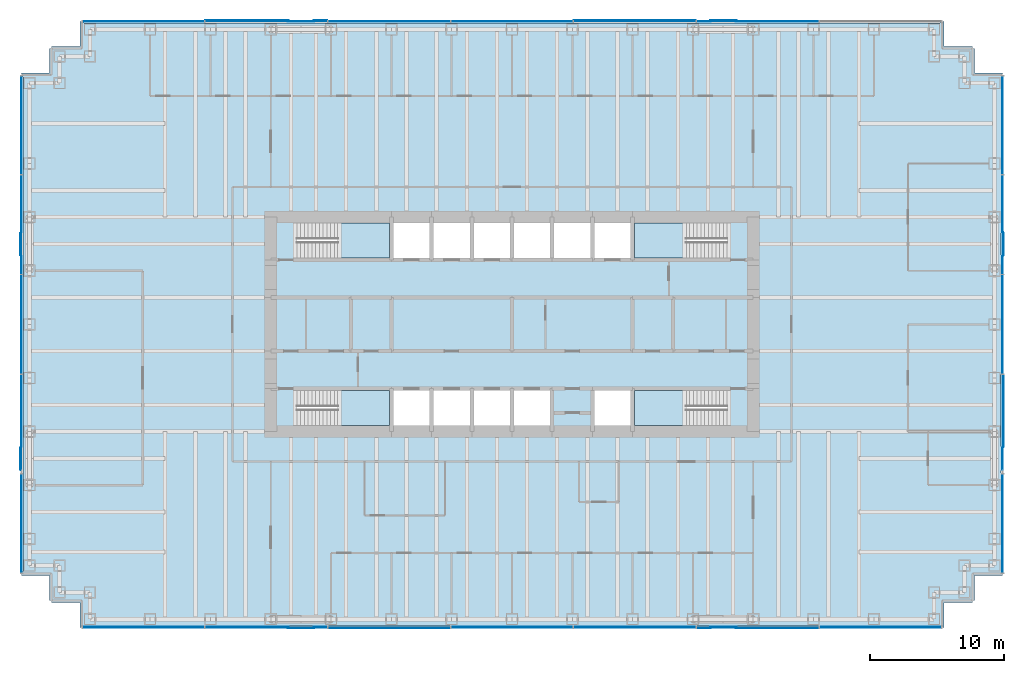
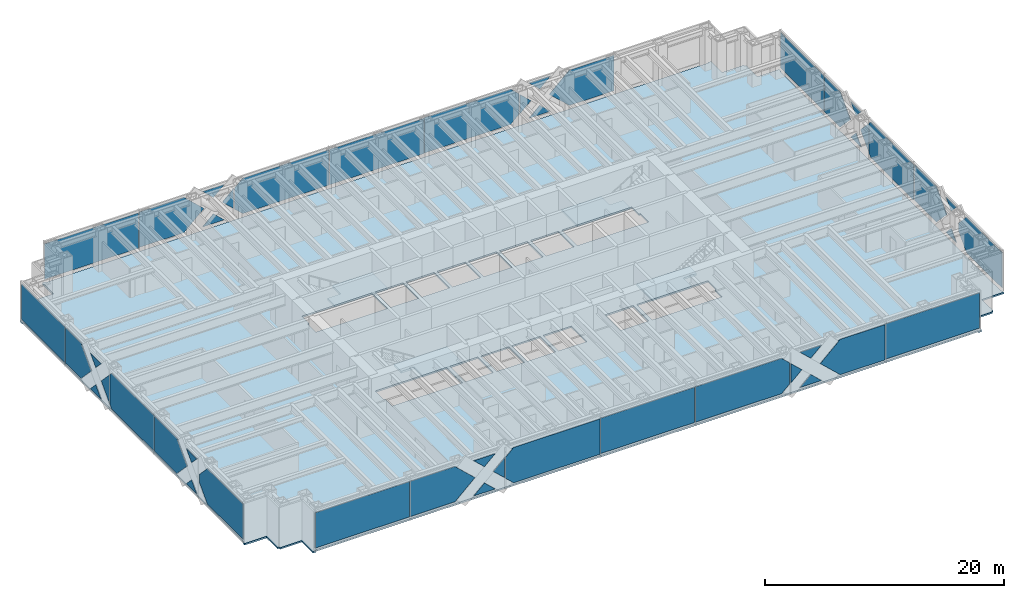
# One storey, part 10 of 19: 45 plates, 5 slabs, 8 elements without a shape of their own.
"""IFC4 building model written with IfcOpenShell, lengths in metres."""

from ifc_helpers import new_model, si_unit, direction, frame, origin, origin_2d, place, context, subcontext, project, spatial, polyline, rectangle, outline, extrude, material, layer, layer_set, type_object, element, aggregate, save


model = new_model("IFC4")

# Units and contexts
model_context = context("Model", 3, precision=1e-05, world=origin(), true_north=direction((0.0, 1.0)))
body_context = subcontext(model_context, "Body", "Model", "MODEL_VIEW")
ifc_project = project(units=[si_unit("LENGTHUNIT", "METRE"), si_unit("AREAUNIT", "SQUARE_METRE"), si_unit("VOLUMEUNIT", "CUBIC_METRE"), si_unit("PLANEANGLEUNIT", "RADIAN"), si_unit("MASSUNIT", "GRAM", prefix="KILO")], contexts=[model_context])

# Site, building, storey
site_placement = place(None, origin())
site = spatial("IfcSite", under=ifc_project, at=site_placement, CompositionType="ELEMENT")
building_placement = place(site_placement, origin())
building = spatial("IfcBuilding", under=site, at=building_placement, Name="Rheinbord Bourse Tower", CompositionType="ELEMENT")
storey_placement = place(building_placement, frame((0.0, 0.0, 167.699951171875)))
storey = spatial("IfcBuildingStorey", under=building, at=storey_placement, Name="L37", CompositionType="ELEMENT", Elevation=167.699951171875)

# Slab
ifc_material_1 = material(Name="Concrete C30/37", Category="concrete")
ifc_layer_1 = layer(ifc_material_1, 0.159912109375)
ifc_layer_set_1 = layer_set([ifc_layer_1], Name="COMPOSITE FLOOR SLAB 160")
slab_type_1 = type_object("IfcSlabType", Name="COMPOSITE FLOOR SLAB 160", PredefinedType="FLOOR", material=ifc_layer_set_1)
slab_1_placement = place(storey_placement, frame((0.0, 0.0, -0.159912109375)))
element("IfcSlab", 1, at=slab_1_placement, inside=storey, type_object=slab_type_1, Name="Floor slab L37", PredefinedType="FLOOR", context=body_context, shape_type="SweptSolid", body=[
    extrude(outline(polyline([(1.64990234375, 3.39990234375), (1.5, 3.39990234375), (1.5, 5.25), (-0.60009765625, 5.25), (-0.60009765625, 5.550048828125), (-0.5, 5.550048828125), (-0.5, 42.449951171875), (-0.60009765625, 42.449951171875), (-0.60009765625, 42.75), (1.5, 42.75), (1.5, 44.60009765625), (1.64990234375, 44.60009765625), (1.64990234375, 44.75), (3.75, 44.75), (3.75, 46.60009765625), (4.050048828125, 46.60009765625), (4.050048828125, 46.5), (67.949951171875, 46.5), (67.949951171875, 46.60009765625), (68.25, 46.60009765625), (68.25, 44.75), (70.35009765625, 44.75), (70.35009765625, 44.60009765625), (70.5, 44.60009765625), (70.5, 42.75), (72.60009765625, 42.75), (72.60009765625, 42.449951171875), (72.5, 42.449951171875), (72.5, 5.550048828125), (72.60009765625, 5.550048828125), (72.60009765625, 5.25), (70.5, 5.25), (70.5, 3.39990234375), (70.35009765625, 3.39990234375), (70.35009765625, 3.25), (68.25, 3.25), (68.25, 1.39990234375), (67.949951171875, 1.39990234375), (67.949951171875, 1.5), (4.050048828125, 1.5), (4.050048828125, 1.39990234375), (3.75, 1.39990234375), (3.75, 3.25), (1.64990234375, 3.25), (1.64990234375, 3.39990234375)]), holes=[polyline([(19.949951171875, 19.050048828125), (26.85009765625, 19.050048828125), (26.85009765625, 16.449951171875), (20.10009765625, 16.449951171875), (20.10009765625, 17.64990234375), (19.949951171875, 17.64990234375), (19.949951171875, 19.050048828125)]), polyline([(26.85009765625, 31.550048828125), (26.85009765625, 28.949951171875), (19.949951171875, 28.949951171875), (19.949951171875, 30.35009765625), (20.10009765625, 30.35009765625), (20.10009765625, 31.550048828125), (26.85009765625, 31.550048828125)]), polyline([(45.14990234375, 16.449951171875), (45.14990234375, 19.050048828125), (52.050048828125, 19.050048828125), (52.050048828125, 17.64990234375), (51.89990234375, 17.64990234375), (51.89990234375, 16.449951171875), (45.14990234375, 16.449951171875)]), polyline([(52.050048828125, 28.949951171875), (45.14990234375, 28.949951171875), (45.14990234375, 31.550048828125), (51.89990234375, 31.550048828125), (51.89990234375, 30.35009765625), (52.050048828125, 30.35009765625), (52.050048828125, 28.949951171875)]), polyline([(27.14990234375, 16.449951171875), (27.14990234375, 19.050048828125), (29.85009765625, 19.050048828125), (29.85009765625, 16.449951171875), (27.14990234375, 16.449951171875)]), polyline([(27.14990234375, 28.949951171875), (27.14990234375, 31.550048828125), (29.85009765625, 31.550048828125), (29.85009765625, 28.949951171875), (27.14990234375, 28.949951171875)]), polyline([(30.14990234375, 16.449951171875), (30.14990234375, 19.050048828125), (32.85009765625, 19.050048828125), (32.85009765625, 16.449951171875), (30.14990234375, 16.449951171875)]), polyline([(30.14990234375, 28.949951171875), (30.14990234375, 31.550048828125), (32.85009765625, 31.550048828125), (32.85009765625, 28.949951171875), (30.14990234375, 28.949951171875)]), polyline([(33.14990234375, 16.449951171875), (33.14990234375, 19.050048828125), (35.85009765625, 19.050048828125), (35.85009765625, 16.449951171875), (33.14990234375, 16.449951171875)]), polyline([(33.14990234375, 28.949951171875), (33.14990234375, 31.550048828125), (35.85009765625, 31.550048828125), (35.85009765625, 28.949951171875), (33.14990234375, 28.949951171875)]), polyline([(36.14990234375, 16.449951171875), (36.14990234375, 19.050048828125), (38.85009765625, 19.050048828125), (38.85009765625, 16.449951171875), (36.14990234375, 16.449951171875)]), polyline([(36.14990234375, 28.949951171875), (36.14990234375, 31.550048828125), (38.85009765625, 31.550048828125), (38.85009765625, 28.949951171875), (36.14990234375, 28.949951171875)]), polyline([(39.14990234375, 28.949951171875), (39.14990234375, 31.550048828125), (41.85009765625, 31.550048828125), (41.85009765625, 28.949951171875), (39.14990234375, 28.949951171875)]), polyline([(42.14990234375, 16.449951171875), (42.14990234375, 19.050048828125), (44.85009765625, 19.050048828125), (44.85009765625, 16.449951171875), (42.14990234375, 16.449951171875)]), polyline([(42.14990234375, 28.949951171875), (42.14990234375, 31.550048828125), (44.85009765625, 31.550048828125), (44.85009765625, 28.949951171875), (42.14990234375, 28.949951171875)])]), origin(), (0.0, 0.0, 1.0), 0.159912109375),
])

# Curtain wall, plates
ifc_material_2 = material(Name="Dark glass and black aluminium", Category="aluminium")
curtain_wall_type = type_object("IfcCurtainWallType", Name="CW2 DARK GLASS CURTAIN WALL", PredefinedType="USERDEFINED", material=ifc_material_2)
curtain_wall_1_placement = place(storey_placement, origin())
curtain_wall_1 = element("IfcCurtainWall", 2, at=curtain_wall_1_placement, inside=storey, type_object=curtain_wall_type, Name="Curtain wall CW2 S L37", ObjectType="UNITISED CURTAIN WALL", PredefinedType="USERDEFINED")
ifc_material_3 = material(Name="Dark tinted triple insulating glass", Category="glass")
ifc_layer_2 = layer(ifc_material_3, 0.050048828125)
ifc_layer_set_2 = layer_set([ifc_layer_2], Name="CW2 DARK GLASS PANEL")
plate_type = type_object("IfcPlateType", Name="CW2 DARK GLASS PANEL", PredefinedType="CURTAIN_PANEL", material=ifc_layer_set_2)
plate_1_placement = place(storey_placement, frame((8.503173828125, 1.39990234375, 0.300048828125), z_axis=(0.0, 0.0, 1.0), x_axis=(1.0, 0.0, 0.0)))
plate_1 = element("IfcPlate", 3, at=plate_1_placement, type_object=plate_type, Name="CW2 panel 1.1", PredefinedType="CURTAIN_PANEL", context=body_context, shape_type="SweptSolid", body=[
    extrude(rectangle(XDim=9.06640625, YDim=0.050048828125, at=origin_2d()), origin(), (0.0, 0.0, 1.0), 3.60009765625),
])
plate_2_placement = place(storey_placement, frame((36.0, 1.39990234375, 0.300048828125), z_axis=(0.0, 0.0, 1.0), x_axis=(1.0, 0.0, 0.0)))
plate_2 = element("IfcPlate", 4, at=plate_2_placement, type_object=plate_type, Name="CW2 panel 4.1", PredefinedType="CURTAIN_PANEL", context=body_context, shape_type="SweptSolid", body=[
    extrude(rectangle(XDim=9.101318359375, YDim=0.050048828125, at=origin_2d()), origin(), (0.0, 0.0, 1.0), 3.60009765625),
])
plate_3_placement = place(storey_placement, frame((63.496826171875, 1.39990234375, 0.300048828125), z_axis=(0.0, 0.0, 1.0), x_axis=(1.0, 0.0, 0.0)))
plate_3 = element("IfcPlate", 5, at=plate_3_placement, type_object=plate_type, Name="CW2 panel 7.1", PredefinedType="CURTAIN_PANEL", context=body_context, shape_type="SweptSolid", body=[
    extrude(rectangle(XDim=9.06640625, YDim=0.050048828125, at=origin_2d()), origin(), (0.0, 0.0, 1.0), 3.60009765625),
])
plate_4_placement = place(storey_placement, frame((13.10595703125, 1.375, 0.300048828125), z_axis=(0.0, 1.0, 0.0), x_axis=(0.0, 0.0, 1.0)))
plate_4 = element("IfcPlate", 6, at=plate_4_placement, type_object=plate_type, Name="CW2 glass facet 1", PredefinedType="CURTAIN_PANEL", context=body_context, shape_type="SweptSolid", body=[
    extrude(outline(polyline([(0.0, 0.0), (3.60009765625, 0.0), (3.60009765625, 4.3291015625), (1.800048828125, 6.257080078125), (0.0, 4.3291015625), (0.0, 0.0)])), origin(), (0.0, 0.0, 1.0), 0.050048828125),
])
plate_5_placement = place(storey_placement, frame((19.2080078125, 1.31982421875, 0.300048828125), z_axis=(0.0, 1.0, 0.0), x_axis=(0.731266046968, 0.0, 0.682092346059)))
plate_5 = element("IfcPlate", 7, at=plate_5_placement, type_object=plate_type, Name="CW2 glass facet 2", PredefinedType="CURTAIN_PANEL", context=body_context, shape_type="SweptSolid", body=[
    extrude(outline(polyline([(0.0, 0.0), (1.4248046875, 0.0), (1.52392578125, 1.42138671875), (0.0, 0.0)])), origin(), (0.0, 0.0, 1.0), 0.050048828125),
])
plate_6_placement = place(storey_placement, frame((21.2919921875, 1.31982421875, 3.900146484375), z_axis=(0.0, 1.0, 0.0), x_axis=(-0.731180589899, 0.0, -0.682183952431)))
plate_6 = element("IfcPlate", 8, at=plate_6_placement, type_object=plate_type, Name="CW2 glass facet 3", PredefinedType="CURTAIN_PANEL", context=body_context, shape_type="SweptSolid", body=[
    extrude(outline(polyline([(0.0, 0.0), (1.425048828125, 0.0), (1.523681640625, 1.421630859375), (0.0, 0.0)])), origin(), (0.0, 0.0, 1.0), 0.050048828125),
])
plate_7_placement = place(storey_placement, frame((22.2080078125, 1.375, 1.10009765625), z_axis=(0.0, 1.0, 0.0), x_axis=(-0.730933363576, 0.0, 0.682448839117)))
plate_7 = element("IfcPlate", 9, at=plate_7_placement, type_object=plate_type, Name="CW2 glass facet 4", PredefinedType="CURTAIN_PANEL", context=body_context, shape_type="SweptSolid", body=[
    extrude(outline(polyline([(0.0, 0.0), (1.46533203125, 0.0), (1.364990234375, 1.4619140625), (0.0, 0.0)])), origin(), (0.0, 0.0, 1.0), 0.050048828125),
])
plate_8_placement = place(storey_placement, frame((31.37890625, 1.31982421875, 3.900146484375), z_axis=(0.0, 1.0, 0.0), x_axis=(0.0, 0.0, -1.0)))
plate_8 = element("IfcPlate", 10, at=plate_8_placement, type_object=plate_type, Name="CW2 glass facet 1", PredefinedType="CURTAIN_PANEL", context=body_context, shape_type="SweptSolid", body=[
    extrude(outline(polyline([(0.0, 0.0), (3.60009765625, 0.0), (3.60009765625, 8.31396484375), (2.864990234375, 9.100830078125), (0.735107421875, 9.100830078125), (0.0, 8.31396484375), (0.0, 0.0)])), origin(), (0.0, 0.0, 1.0), 0.050048828125),
])
plate_9_placement = place(storey_placement, frame((40.62109375, 1.375, 0.300048828125), z_axis=(0.0, 1.0, 0.0), x_axis=(0.0, 0.0, 1.0)))
plate_9 = element("IfcPlate", 11, at=plate_9_placement, type_object=plate_type, Name="CW2 glass facet 1", PredefinedType="CURTAIN_PANEL", context=body_context, shape_type="SweptSolid", body=[
    extrude(outline(polyline([(0.0, 0.0), (3.60009765625, 0.0), (3.60009765625, 8.31396484375), (2.864990234375, 9.100830078125), (0.735107421875, 9.100830078125), (0.0, 8.31396484375), (0.0, 0.0)])), origin(), (0.0, 0.0, 1.0), 0.050048828125),
])
plate_10_placement = place(storey_placement, frame((49.7919921875, 1.31982421875, 3.10009765625), z_axis=(0.0, 1.0, 0.0), x_axis=(0.730933363576, 0.0, -0.682448839117)))
plate_10 = element("IfcPlate", 12, at=plate_10_placement, type_object=plate_type, Name="CW2 glass facet 1", PredefinedType="CURTAIN_PANEL", context=body_context, shape_type="SweptSolid", body=[
    extrude(outline(polyline([(0.0, 0.0), (1.46533203125, 0.0), (1.364990234375, 1.4619140625), (0.0, 0.0)])), origin(), (0.0, 0.0, 1.0), 0.050048828125),
])
plate_11_placement = place(storey_placement, frame((50.7080078125, 1.375, 0.300048828125), z_axis=(0.0, 1.0, 0.0), x_axis=(0.731266046968, 0.0, 0.682092346059)))
plate_11 = element("IfcPlate", 13, at=plate_11_placement, type_object=plate_type, Name="CW2 glass facet 2", PredefinedType="CURTAIN_PANEL", context=body_context, shape_type="SweptSolid", body=[
    extrude(outline(polyline([(0.0, 0.0), (1.4248046875, 0.0), (1.52392578125, 1.42138671875), (0.0, 0.0)])), origin(), (0.0, 0.0, 1.0), 0.050048828125),
])
plate_12_placement = place(storey_placement, frame((52.7919921875, 1.375, 3.900146484375), z_axis=(0.0, 1.0, 0.0), x_axis=(-0.731180589899, 0.0, -0.682183952431)))
plate_12 = element("IfcPlate", 14, at=plate_12_placement, type_object=plate_type, Name="CW2 glass facet 3", PredefinedType="CURTAIN_PANEL", context=body_context, shape_type="SweptSolid", body=[
    extrude(outline(polyline([(0.0, 0.0), (1.425048828125, 0.0), (1.523681640625, 1.421630859375), (0.0, 0.0)])), origin(), (0.0, 0.0, 1.0), 0.050048828125),
])
plate_13_placement = place(storey_placement, frame((58.89404296875, 1.31982421875, 3.900146484375), z_axis=(0.0, 1.0, 0.0), x_axis=(0.0, 0.0, -1.0)))
plate_13 = element("IfcPlate", 15, at=plate_13_placement, type_object=plate_type, Name="CW2 glass facet 4", PredefinedType="CURTAIN_PANEL", context=body_context, shape_type="SweptSolid", body=[
    extrude(outline(polyline([(0.0, 0.0), (3.60009765625, 0.0), (3.60009765625, 4.3291015625), (1.800048828125, 6.257080078125), (0.0, 4.3291015625), (0.0, 0.0)])), origin(), (0.0, 0.0, 1.0), 0.050048828125),
])
aggregate(curtain_wall_1, [plate_1, plate_2, plate_3, plate_4, plate_5, plate_6, plate_7, plate_8, plate_9, plate_10, plate_11, plate_12, plate_13])

curtain_wall_2_placement = place(storey_placement, origin())
curtain_wall_2 = element("IfcCurtainWall", 16, at=curtain_wall_2_placement, inside=storey, type_object=curtain_wall_type, Name="Curtain wall CW2 E L37", ObjectType="UNITISED CURTAIN WALL", PredefinedType="USERDEFINED")
plate_14_placement = place(storey_placement, frame((72.60009765625, 38.862548828125, 0.300048828125), z_axis=(0.0, 0.0, 1.0), x_axis=(0.0, 1.0, 0.0)))
plate_14 = element("IfcPlate", 17, at=plate_14_placement, type_object=plate_type, Name="CW2 panel 5.1", PredefinedType="CURTAIN_PANEL", context=body_context, shape_type="SweptSolid", body=[
    extrude(rectangle(XDim=7.3349609375, YDim=0.050048828125, at=origin_2d()), origin(), (0.0, 0.0, 1.0), 3.60009765625),
])
plate_15_placement = place(storey_placement, frame((72.625, 5.469970703125, 0.300048828125), z_axis=(-1.0, 0.0, 0.0), x_axis=(0.0, 0.0, 1.0)))
plate_15 = element("IfcPlate", 18, at=plate_15_placement, type_object=plate_type, Name="CW2 glass facet 1", PredefinedType="CURTAIN_PANEL", context=body_context, shape_type="SweptSolid", body=[
    extrude(outline(polyline([(0.0, 0.0), (3.60009765625, 0.0), (3.60009765625, 5.97998046875), (2.177978515625, 7.3349609375), (1.423095703125, 7.3349609375), (0.0, 5.97998046875), (0.0, 0.0)])), origin(), (0.0, 0.0, 1.0), 0.050048828125),
])
plate_16_placement = place(storey_placement, frame((72.625, 13.12109375, 0.300048828125), z_axis=(-1.0, 0.0, 0.0), x_axis=(0.0, 0.689559508121, 0.724229027835)))
plate_16 = element("IfcPlate", 19, at=plate_16_placement, type_object=plate_type, Name="CW2 glass facet 2", PredefinedType="CURTAIN_PANEL", context=body_context, shape_type="SweptSolid", body=[
    extrude(outline(polyline([(0.0, 0.0), (1.274658203125, 0.0), (1.212158203125, 1.27294921875), (0.0, 0.0)])), origin(), (0.0, 0.0, 1.0), 0.050048828125),
])
plate_17_placement = place(storey_placement, frame((72.625, 14.87890625, 3.900146484375), z_axis=(-1.0, 0.0, 0.0), x_axis=(0.0, -0.689559508121, -0.724229027835)))
plate_17 = element("IfcPlate", 20, at=plate_17_placement, type_object=plate_type, Name="CW2 glass facet 3", PredefinedType="CURTAIN_PANEL", context=body_context, shape_type="SweptSolid", body=[
    extrude(outline(polyline([(0.0, 0.0), (1.274658203125, 0.0), (1.212158203125, 1.27294921875), (0.0, 0.0)])), origin(), (0.0, 0.0, 1.0), 0.050048828125),
])
plate_18_placement = place(storey_placement, frame((72.68017578125, 20.2451171875, 3.900146484375), z_axis=(-1.0, 0.0, 0.0), x_axis=(0.0, 0.0, -1.0)))
plate_18 = element("IfcPlate", 21, at=plate_18_placement, type_object=plate_type, Name="CW2 glass facet 4", PredefinedType="CURTAIN_PANEL", context=body_context, shape_type="SweptSolid", body=[
    extrude(outline(polyline([(0.0, 0.0), (3.60009765625, 0.0), (3.60009765625, 3.695068359375), (1.800048828125, 5.41015625), (0.0, 3.695068359375), (0.0, 0.0)])), origin(), (0.0, 0.0, 1.0), 0.050048828125),
])
plate_19_placement = place(storey_placement, frame((72.625, 20.31494140625, 0.300048828125), z_axis=(-1.0, 0.0, 0.0), x_axis=(0.0, 0.0, 1.0)))
plate_19 = element("IfcPlate", 22, at=plate_19_placement, type_object=plate_type, Name="CW2 glass facet 1", PredefinedType="CURTAIN_PANEL", context=body_context, shape_type="SweptSolid", body=[
    extrude(outline(polyline([(0.0, 0.0), (3.60009765625, 0.0), (3.60009765625, 7.135009765625), (3.35302734375, 7.3701171875), (0.24609375, 7.3701171875), (0.0, 7.135009765625), (0.0, 0.0)])), origin(), (0.0, 0.0, 1.0), 0.050048828125),
])
plate_20_placement = place(storey_placement, frame((72.625, 27.7548828125, 3.580078125), z_axis=(-1.0, 0.0, 0.0), x_axis=(0.0, 0.689822155923, -0.723978862397)))
plate_20 = element("IfcPlate", 23, at=plate_20_placement, type_object=plate_type, Name="CW2 glass facet 1", PredefinedType="CURTAIN_PANEL", context=body_context, shape_type="SweptSolid", body=[
    extrude(outline(polyline([(0.0, 0.0), (2.044189453125, 0.0), (2.14306640625, 2.041748046875), (0.0, 0.0)])), origin(), (0.0, 0.0, 1.0), 0.050048828125),
])
plate_21_placement = place(storey_placement, frame((72.68017578125, 29.12109375, 0.300048828125), z_axis=(-1.0, 0.0, 0.0), x_axis=(0.0, 0.689559508121, 0.724229027835)))
plate_21 = element("IfcPlate", 24, at=plate_21_placement, type_object=plate_type, Name="CW2 glass facet 2", PredefinedType="CURTAIN_PANEL", context=body_context, shape_type="SweptSolid", body=[
    extrude(outline(polyline([(0.0, 0.0), (1.274658203125, 0.0), (1.212158203125, 1.27294921875), (0.0, 0.0)])), origin(), (0.0, 0.0, 1.0), 0.050048828125),
])
plate_22_placement = place(storey_placement, frame((72.68017578125, 30.87890625, 3.900146484375), z_axis=(-1.0, 0.0, 0.0), x_axis=(0.0, -0.689559508121, -0.724229027835)))
plate_22 = element("IfcPlate", 25, at=plate_22_placement, type_object=plate_type, Name="CW2 glass facet 3", PredefinedType="CURTAIN_PANEL", context=body_context, shape_type="SweptSolid", body=[
    extrude(outline(polyline([(0.0, 0.0), (1.274658203125, 0.0), (1.212158203125, 1.27294921875), (0.0, 0.0)])), origin(), (0.0, 0.0, 1.0), 0.050048828125),
])
plate_23_placement = place(storey_placement, frame((72.625, 35.125, 3.900146484375), z_axis=(-1.0, 0.0, 0.0), x_axis=(0.0, 0.0, -1.0)))
plate_23 = element("IfcPlate", 26, at=plate_23_placement, type_object=plate_type, Name="CW2 glass facet 4", PredefinedType="CURTAIN_PANEL", context=body_context, shape_type="SweptSolid", body=[
    extrude(outline(polyline([(0.0, 0.0), (3.60009765625, 0.0), (3.60009765625, 2.574951171875), (1.800048828125, 4.2900390625), (0.0, 2.574951171875), (0.0, 0.0)])), origin(), (0.0, 0.0, 1.0), 0.050048828125),
])
aggregate(curtain_wall_2, [plate_14, plate_15, plate_16, plate_17, plate_18, plate_19, plate_20, plate_21, plate_22, plate_23])

curtain_wall_3_placement = place(storey_placement, origin())
curtain_wall_3 = element("IfcCurtainWall", 27, at=curtain_wall_3_placement, inside=storey, type_object=curtain_wall_type, Name="Curtain wall CW2 N L37", ObjectType="UNITISED CURTAIN WALL", PredefinedType="USERDEFINED")
plate_24_placement = place(storey_placement, frame((36.0, 46.60009765625, 0.300048828125), z_axis=(0.0, 0.0, 1.0), x_axis=(-1.0, 0.0, 0.0)))
plate_24 = element("IfcPlate", 28, at=plate_24_placement, type_object=plate_type, Name="CW2 panel 4.1", PredefinedType="CURTAIN_PANEL", context=body_context, shape_type="SweptSolid", body=[
    extrude(rectangle(XDim=9.101318359375, YDim=0.050048828125, at=origin_2d()), origin(), (0.0, 0.0, 1.0), 3.60009765625),
])
plate_25_placement = place(storey_placement, frame((8.503173828125, 46.60009765625, 0.300048828125), z_axis=(0.0, 0.0, 1.0), x_axis=(-1.0, 0.0, 0.0)))
plate_25 = element("IfcPlate", 29, at=plate_25_placement, type_object=plate_type, Name="CW2 panel 7.1", PredefinedType="CURTAIN_PANEL", context=body_context, shape_type="SweptSolid", body=[
    extrude(rectangle(XDim=9.06640625, YDim=0.050048828125, at=origin_2d()), origin(), (0.0, 0.0, 1.0), 3.60009765625),
])
plate_26_placement = place(storey_placement, frame((58.89404296875, 46.625, 0.300048828125), z_axis=(0.0, -1.0, 0.0), x_axis=(0.0, 0.0, 1.0)))
plate_26 = element("IfcPlate", 30, at=plate_26_placement, type_object=plate_type, Name="CW2 glass facet 1", PredefinedType="CURTAIN_PANEL", context=body_context, shape_type="SweptSolid", body=[
    extrude(outline(polyline([(0.0, 0.0), (3.60009765625, 0.0), (3.60009765625, 4.3291015625), (1.800048828125, 6.257080078125), (0.0, 4.3291015625), (0.0, 0.0)])), origin(), (0.0, 0.0, 1.0), 0.050048828125),
])
plate_27_placement = place(storey_placement, frame((52.7919921875, 46.68017578125, 0.300048828125), z_axis=(0.0, -1.0, 0.0), x_axis=(-0.731266046968, 0.0, 0.682092346059)))
plate_27 = element("IfcPlate", 31, at=plate_27_placement, type_object=plate_type, Name="CW2 glass facet 2", PredefinedType="CURTAIN_PANEL", context=body_context, shape_type="SweptSolid", body=[
    extrude(outline(polyline([(0.0, 0.0), (1.4248046875, 0.0), (1.52392578125, 1.42138671875), (0.0, 0.0)])), origin(), (0.0, 0.0, 1.0), 0.050048828125),
])
plate_28_placement = place(storey_placement, frame((50.7080078125, 46.68017578125, 3.900146484375), z_axis=(0.0, -1.0, 0.0), x_axis=(0.731180589899, 0.0, -0.682183952431)))
plate_28 = element("IfcPlate", 32, at=plate_28_placement, type_object=plate_type, Name="CW2 glass facet 3", PredefinedType="CURTAIN_PANEL", context=body_context, shape_type="SweptSolid", body=[
    extrude(outline(polyline([(0.0, 0.0), (1.425048828125, 0.0), (1.523681640625, 1.421630859375), (0.0, 0.0)])), origin(), (0.0, 0.0, 1.0), 0.050048828125),
])
plate_29_placement = place(storey_placement, frame((49.7919921875, 46.625, 1.10009765625), z_axis=(0.0, -1.0, 0.0), x_axis=(0.730933363576, 0.0, 0.682448839117)))
plate_29 = element("IfcPlate", 33, at=plate_29_placement, type_object=plate_type, Name="CW2 glass facet 4", PredefinedType="CURTAIN_PANEL", context=body_context, shape_type="SweptSolid", body=[
    extrude(outline(polyline([(0.0, 0.0), (1.46533203125, 0.0), (1.364990234375, 1.4619140625), (0.0, 0.0)])), origin(), (0.0, 0.0, 1.0), 0.050048828125),
])
plate_30_placement = place(storey_placement, frame((40.62109375, 46.68017578125, 3.900146484375), z_axis=(0.0, -1.0, 0.0), x_axis=(0.0, 0.0, -1.0)))
plate_30 = element("IfcPlate", 34, at=plate_30_placement, type_object=plate_type, Name="CW2 glass facet 1", PredefinedType="CURTAIN_PANEL", context=body_context, shape_type="SweptSolid", body=[
    extrude(outline(polyline([(0.0, 0.0), (3.60009765625, 0.0), (3.60009765625, 8.31396484375), (2.864990234375, 9.100830078125), (0.735107421875, 9.100830078125), (0.0, 8.31396484375), (0.0, 0.0)])), origin(), (0.0, 0.0, 1.0), 0.050048828125),
])
plate_31_placement = place(storey_placement, frame((31.37890625, 46.625, 0.300048828125), z_axis=(0.0, -1.0, 0.0), x_axis=(0.0, 0.0, 1.0)))
plate_31 = element("IfcPlate", 35, at=plate_31_placement, type_object=plate_type, Name="CW2 glass facet 1", PredefinedType="CURTAIN_PANEL", context=body_context, shape_type="SweptSolid", body=[
    extrude(outline(polyline([(0.0, 0.0), (3.60009765625, 0.0), (3.60009765625, 8.31396484375), (2.864990234375, 9.100830078125), (0.735107421875, 9.100830078125), (0.0, 8.31396484375), (0.0, 0.0)])), origin(), (0.0, 0.0, 1.0), 0.050048828125),
])
plate_32_placement = place(storey_placement, frame((22.2080078125, 46.68017578125, 3.10009765625), z_axis=(0.0, -1.0, 0.0), x_axis=(-0.730933363576, 0.0, -0.682448839117)))
plate_32 = element("IfcPlate", 36, at=plate_32_placement, type_object=plate_type, Name="CW2 glass facet 1", PredefinedType="CURTAIN_PANEL", context=body_context, shape_type="SweptSolid", body=[
    extrude(outline(polyline([(0.0, 0.0), (1.46533203125, 0.0), (1.364990234375, 1.4619140625), (0.0, 0.0)])), origin(), (0.0, 0.0, 1.0), 0.050048828125),
])
plate_33_placement = place(storey_placement, frame((21.2919921875, 46.625, 0.300048828125), z_axis=(0.0, -1.0, 0.0), x_axis=(-0.731266046968, 0.0, 0.682092346059)))
plate_33 = element("IfcPlate", 37, at=plate_33_placement, type_object=plate_type, Name="CW2 glass facet 2", PredefinedType="CURTAIN_PANEL", context=body_context, shape_type="SweptSolid", body=[
    extrude(outline(polyline([(0.0, 0.0), (1.4248046875, 0.0), (1.52392578125, 1.42138671875), (0.0, 0.0)])), origin(), (0.0, 0.0, 1.0), 0.050048828125),
])
plate_34_placement = place(storey_placement, frame((19.2080078125, 46.625, 3.900146484375), z_axis=(0.0, -1.0, 0.0), x_axis=(0.731180589899, 0.0, -0.682183952431)))
plate_34 = element("IfcPlate", 38, at=plate_34_placement, type_object=plate_type, Name="CW2 glass facet 3", PredefinedType="CURTAIN_PANEL", context=body_context, shape_type="SweptSolid", body=[
    extrude(outline(polyline([(0.0, 0.0), (1.425048828125, 0.0), (1.523681640625, 1.421630859375), (0.0, 0.0)])), origin(), (0.0, 0.0, 1.0), 0.050048828125),
])
plate_35_placement = place(storey_placement, frame((13.10595703125, 46.68017578125, 3.900146484375), z_axis=(0.0, -1.0, 0.0), x_axis=(0.0, 0.0, -1.0)))
plate_35 = element("IfcPlate", 39, at=plate_35_placement, type_object=plate_type, Name="CW2 glass facet 4", PredefinedType="CURTAIN_PANEL", context=body_context, shape_type="SweptSolid", body=[
    extrude(outline(polyline([(0.0, 0.0), (3.60009765625, 0.0), (3.60009765625, 4.3291015625), (1.800048828125, 6.257080078125), (0.0, 4.3291015625), (0.0, 0.0)])), origin(), (0.0, 0.0, 1.0), 0.050048828125),
])
aggregate(curtain_wall_3, [plate_24, plate_25, plate_26, plate_27, plate_28, plate_29, plate_30, plate_31, plate_32, plate_33, plate_34, plate_35])

curtain_wall_4_placement = place(storey_placement, origin())
curtain_wall_4 = element("IfcCurtainWall", 40, at=curtain_wall_4_placement, inside=storey, type_object=curtain_wall_type, Name="Curtain wall CW2 W L37", ObjectType="UNITISED CURTAIN WALL", PredefinedType="USERDEFINED")
plate_36_placement = place(storey_placement, frame((-0.60009765625, 38.862548828125, 0.300048828125), z_axis=(0.0, 0.0, 1.0), x_axis=(0.0, -1.0, 0.0)))
plate_36 = element("IfcPlate", 41, at=plate_36_placement, type_object=plate_type, Name="CW2 panel 1.1", PredefinedType="CURTAIN_PANEL", context=body_context, shape_type="SweptSolid", body=[
    extrude(rectangle(XDim=7.3349609375, YDim=0.050048828125, at=origin_2d()), origin(), (0.0, 0.0, 1.0), 3.60009765625),
])
plate_37_placement = place(storey_placement, frame((-0.625, 35.125, 0.300048828125), z_axis=(1.0, 0.0, 0.0), x_axis=(0.0, 0.0, 1.0)))
plate_37 = element("IfcPlate", 42, at=plate_37_placement, type_object=plate_type, Name="CW2 glass facet 1", PredefinedType="CURTAIN_PANEL", context=body_context, shape_type="SweptSolid", body=[
    extrude(outline(polyline([(0.0, 0.0), (3.60009765625, 0.0), (3.60009765625, 2.574951171875), (1.800048828125, 4.2900390625), (0.0, 2.574951171875), (0.0, 0.0)])), origin(), (0.0, 0.0, 1.0), 0.050048828125),
])
plate_38_placement = place(storey_placement, frame((-0.68017578125, 30.87890625, 0.300048828125), z_axis=(1.0, 0.0, 0.0), x_axis=(0.0, -0.689559508121, 0.724229027835)))
plate_38 = element("IfcPlate", 43, at=plate_38_placement, type_object=plate_type, Name="CW2 glass facet 2", PredefinedType="CURTAIN_PANEL", context=body_context, shape_type="SweptSolid", body=[
    extrude(outline(polyline([(0.0, 0.0), (1.274658203125, 0.0), (1.212158203125, 1.27294921875), (0.0, 0.0)])), origin(), (0.0, 0.0, 1.0), 0.050048828125),
])
plate_39_placement = place(storey_placement, frame((-0.68017578125, 29.12109375, 3.900146484375), z_axis=(1.0, 0.0, 0.0), x_axis=(0.0, 0.689559508121, -0.724229027835)))
plate_39 = element("IfcPlate", 44, at=plate_39_placement, type_object=plate_type, Name="CW2 glass facet 3", PredefinedType="CURTAIN_PANEL", context=body_context, shape_type="SweptSolid", body=[
    extrude(outline(polyline([(0.0, 0.0), (1.274658203125, 0.0), (1.212158203125, 1.27294921875), (0.0, 0.0)])), origin(), (0.0, 0.0, 1.0), 0.050048828125),
])
plate_40_placement = place(storey_placement, frame((-0.625, 27.7548828125, 0.6201171875), z_axis=(1.0, 0.0, 0.0), x_axis=(0.0, 0.689822155923, 0.723978862397)))
plate_40 = element("IfcPlate", 45, at=plate_40_placement, type_object=plate_type, Name="CW2 glass facet 4", PredefinedType="CURTAIN_PANEL", context=body_context, shape_type="SweptSolid", body=[
    extrude(outline(polyline([(0.0, 0.0), (2.044189453125, 0.0), (2.14306640625, 2.041748046875), (0.0, 0.0)])), origin(), (0.0, 0.0, 1.0), 0.050048828125),
])
plate_41_placement = place(storey_placement, frame((-0.625, 20.31494140625, 3.900146484375), z_axis=(1.0, 0.0, 0.0), x_axis=(0.0, 0.0, -1.0)))
plate_41 = element("IfcPlate", 46, at=plate_41_placement, type_object=plate_type, Name="CW2 glass facet 1", PredefinedType="CURTAIN_PANEL", context=body_context, shape_type="SweptSolid", body=[
    extrude(outline(polyline([(0.0, 0.0), (3.60009765625, 0.0), (3.60009765625, 7.135009765625), (3.35400390625, 7.3701171875), (0.2470703125, 7.3701171875), (0.0, 7.135009765625), (0.0, 0.0)])), origin(), (0.0, 0.0, 1.0), 0.050048828125),
])
plate_42_placement = place(storey_placement, frame((-0.625, 20.2451171875, 0.300048828125), z_axis=(1.0, 0.0, 0.0), x_axis=(0.0, 0.0, 1.0)))
plate_42 = element("IfcPlate", 47, at=plate_42_placement, type_object=plate_type, Name="CW2 glass facet 1", PredefinedType="CURTAIN_PANEL", context=body_context, shape_type="SweptSolid", body=[
    extrude(outline(polyline([(0.0, 0.0), (3.60009765625, 0.0), (3.60009765625, 3.695068359375), (1.800048828125, 5.41015625), (0.0, 3.695068359375), (0.0, 0.0)])), origin(), (0.0, 0.0, 1.0), 0.050048828125),
])
plate_43_placement = place(storey_placement, frame((-0.68017578125, 14.87890625, 0.300048828125), z_axis=(1.0, 0.0, 0.0), x_axis=(0.0, -0.689559508121, 0.724229027835)))
plate_43 = element("IfcPlate", 48, at=plate_43_placement, type_object=plate_type, Name="CW2 glass facet 2", PredefinedType="CURTAIN_PANEL", context=body_context, shape_type="SweptSolid", body=[
    extrude(outline(polyline([(0.0, 0.0), (1.274658203125, 0.0), (1.212158203125, 1.27294921875), (0.0, 0.0)])), origin(), (0.0, 0.0, 1.0), 0.050048828125),
])
plate_44_placement = place(storey_placement, frame((-0.68017578125, 13.12109375, 3.900146484375), z_axis=(1.0, 0.0, 0.0), x_axis=(0.0, 0.689559508121, -0.724229027835)))
plate_44 = element("IfcPlate", 49, at=plate_44_placement, type_object=plate_type, Name="CW2 glass facet 3", PredefinedType="CURTAIN_PANEL", context=body_context, shape_type="SweptSolid", body=[
    extrude(outline(polyline([(0.0, 0.0), (1.274658203125, 0.0), (1.212158203125, 1.27294921875), (0.0, 0.0)])), origin(), (0.0, 0.0, 1.0), 0.050048828125),
])
plate_45_placement = place(storey_placement, frame((-0.625, 5.469970703125, 3.900146484375), z_axis=(1.0, 0.0, 0.0), x_axis=(0.0, 0.0, -1.0)))
plate_45 = element("IfcPlate", 50, at=plate_45_placement, type_object=plate_type, Name="CW2 glass facet 1", PredefinedType="CURTAIN_PANEL", context=body_context, shape_type="SweptSolid", body=[
    extrude(outline(polyline([(0.0, 0.0), (3.60009765625, 0.0), (3.60009765625, 5.97998046875), (2.177978515625, 7.3349609375), (1.423095703125, 7.3349609375), (0.0, 5.97998046875), (0.0, 0.0)])), origin(), (0.0, 0.0, 1.0), 0.050048828125),
])
aggregate(curtain_wall_4, [plate_36, plate_37, plate_38, plate_39, plate_40, plate_41, plate_42, plate_43, plate_44, plate_45])

# Stair, slab
ifc_material_4 = material(Name="Concrete C30/37", Category="concrete")
stair_type = type_object("IfcStairType", Name="CORE STAIR HALF TURN 4200", PredefinedType="HALF_TURN_STAIR", material=ifc_material_4)
stair_1_placement = place(storey_placement, origin())
stair_1 = element("IfcStair", 51, at=stair_1_placement, inside=storey, type_object=stair_type, Name="Stair ST1 L37, type CS6", PredefinedType="HALF_TURN_STAIR")
ifc_material_5 = material(Name="Concrete C30/37", Category="concrete")
ifc_layer_3 = layer(ifc_material_5, 0.199951171875)
ifc_layer_set_3 = layer_set([ifc_layer_3], Name="STAIR LANDING 200")
slab_type_2 = type_object("IfcSlabType", Name="STAIR LANDING 200", PredefinedType="LANDING", material=ifc_layer_set_3)
slab_2_placement = place(storey_placement, frame((0.0, 0.0, 1.900146484375)))
slab_2 = element("IfcSlab", 52, at=slab_2_placement, type_object=slab_type_2, Name="Half landing ST1 L37", PredefinedType="LANDING", context=body_context, shape_type="SweptSolid", body=[
    extrude(outline(polyline([(23.030029296875, 16.449951171875), (26.85009765625, 16.449951171875), (26.85009765625, 19.050048828125), (21.748046875, 19.050048828125), (21.748046875, 17.85009765625), (23.030029296875, 17.85009765625), (23.030029296875, 16.449951171875)])), origin(), (0.0, 0.0, 1.0), 0.199951171875),
])
aggregate(stair_1, [slab_2])

stair_2_placement = place(storey_placement, origin())
stair_2 = element("IfcStair", 53, at=stair_2_placement, inside=storey, type_object=stair_type, Name="Stair ST2 L37, type CS6", PredefinedType="HALF_TURN_STAIR")
slab_3_placement = place(storey_placement, frame((0.0, 0.0, 1.900146484375)))
slab_3 = element("IfcSlab", 54, at=slab_3_placement, type_object=slab_type_2, Name="Half landing ST2 L37", PredefinedType="LANDING", context=body_context, shape_type="SweptSolid", body=[
    extrude(outline(polyline([(21.748046875, 28.949951171875), (26.85009765625, 28.949951171875), (26.85009765625, 31.550048828125), (23.030029296875, 31.550048828125), (23.030029296875, 30.14990234375), (21.748046875, 30.14990234375), (21.748046875, 28.949951171875)])), origin(), (0.0, 0.0, 1.0), 0.199951171875),
])
aggregate(stair_2, [slab_3])

stair_3_placement = place(storey_placement, origin())
stair_3 = element("IfcStair", 55, at=stair_3_placement, inside=storey, type_object=stair_type, Name="Stair ST3 L37, type CS6", PredefinedType="HALF_TURN_STAIR")
slab_4_placement = place(storey_placement, frame((0.0, 0.0, 1.900146484375)))
slab_4 = element("IfcSlab", 56, at=slab_4_placement, type_object=slab_type_2, Name="Half landing ST3 L37", PredefinedType="LANDING", context=body_context, shape_type="SweptSolid", body=[
    extrude(outline(polyline([(45.14990234375, 16.449951171875), (48.969970703125, 16.449951171875), (48.969970703125, 17.85009765625), (50.251953125, 17.85009765625), (50.251953125, 19.050048828125), (45.14990234375, 19.050048828125), (45.14990234375, 16.449951171875)])), origin(), (0.0, 0.0, 1.0), 0.199951171875),
])
aggregate(stair_3, [slab_4])

stair_4_placement = place(storey_placement, origin())
stair_4 = element("IfcStair", 57, at=stair_4_placement, inside=storey, type_object=stair_type, Name="Stair ST4 L37, type CS6", PredefinedType="HALF_TURN_STAIR")
slab_5_placement = place(storey_placement, frame((0.0, 0.0, 1.900146484375)))
slab_5 = element("IfcSlab", 58, at=slab_5_placement, type_object=slab_type_2, Name="Half landing ST4 L37", PredefinedType="LANDING", context=body_context, shape_type="SweptSolid", body=[
    extrude(outline(polyline([(45.14990234375, 28.949951171875), (50.251953125, 28.949951171875), (50.251953125, 30.14990234375), (48.969970703125, 30.14990234375), (48.969970703125, 31.550048828125), (45.14990234375, 31.550048828125), (45.14990234375, 28.949951171875)])), origin(), (0.0, 0.0, 1.0), 0.199951171875),
])
aggregate(stair_4, [slab_5])

save(model, "model.ifc")
